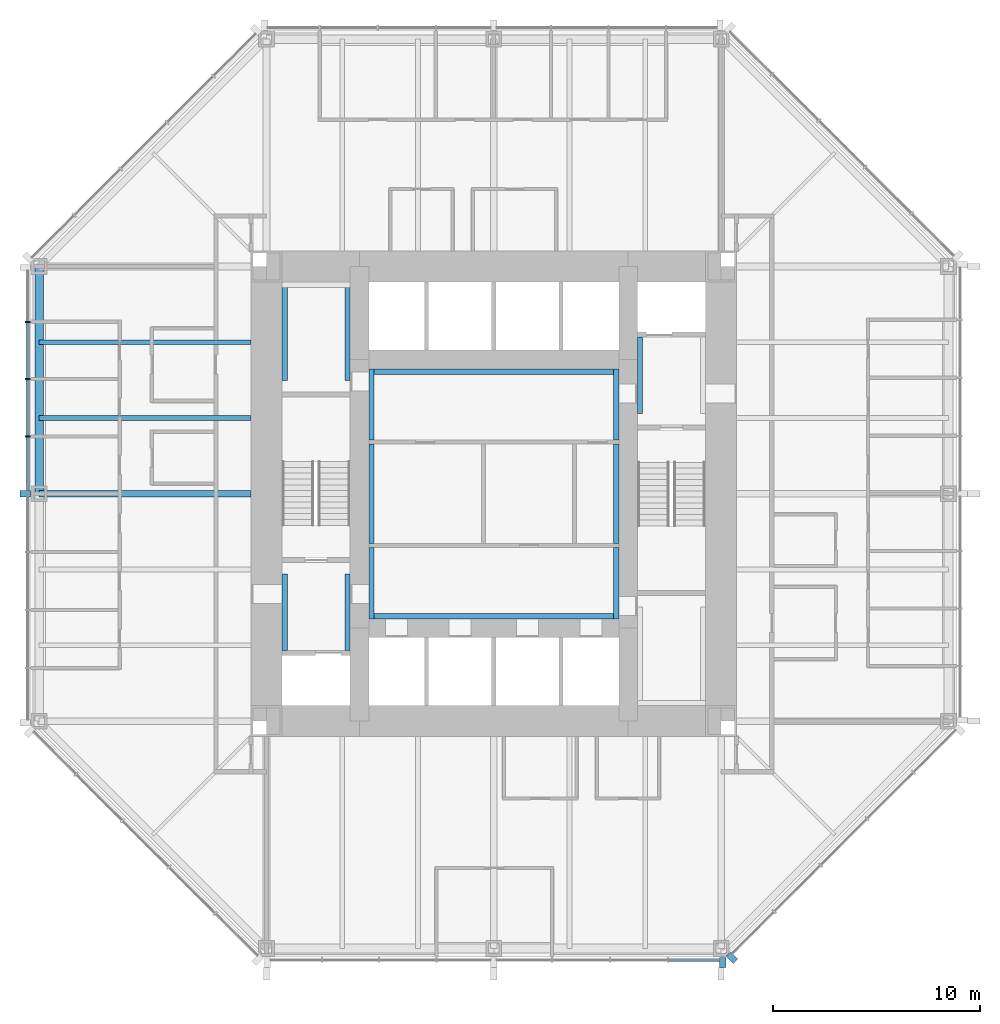
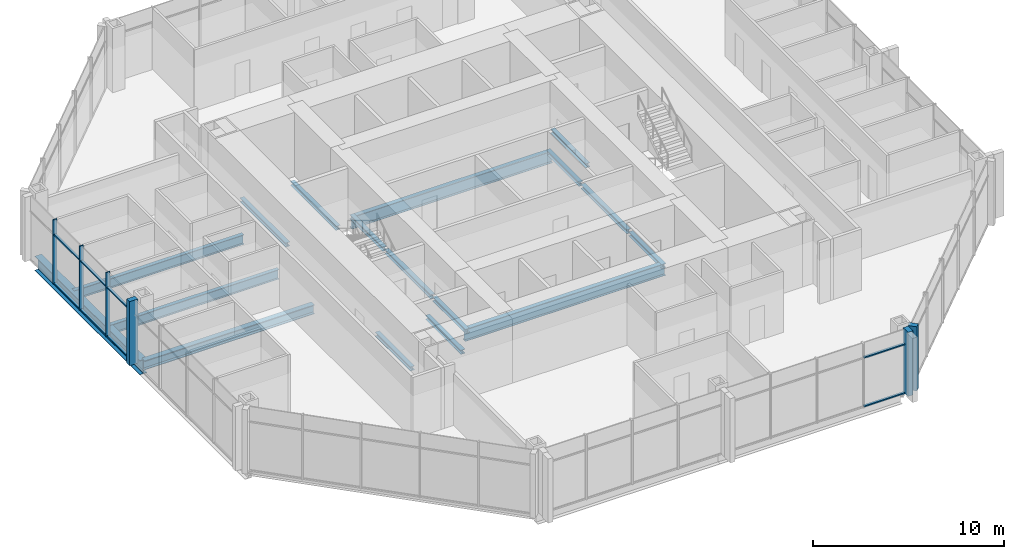
# One storey, part 3 of 14: 17 beams, 14 members, 3 elements without a shape of their own.
"""IFC4 building model written with IfcOpenShell, lengths in metres."""

import ifcopenshell
import ifcopenshell.guid

model = None  # the IFC model being written
_history = None  # IfcOwnerHistory: only IFC2X3 demands one
_inside = {}  # id of a spatial element -> (the spatial element, [elements in it])
_under = {}  # id of a project, library or spatial element -> (it, [spatial elements below it])
_declared = {}  # id of a project -> (the project, [libraries it declares])
_typed = {}  # id of a type object -> (the type object, [elements of that type])
_made_of = {}  # id of a material, layer set ... -> (it, [elements and type objects made of it])


def new_model(schema):
    """Start an empty IFC model of exactly this schema.

    Asked for "IFC4X3", IfcOpenShell would pick the latest addendum, in which some entities
    have other attributes; the version numbers below select the first issue.
    IFC2X3 requires an IfcOwnerHistory on every rooted entity: one is made here for all.
    """
    global model, _history
    if schema == "IFC4X3":
        model = ifcopenshell.file(schema_version=(4, 3, 0, 0))
    else:
        model = ifcopenshell.file(schema=schema)
    _inside.clear()
    _under.clear()
    _declared.clear()
    _typed.clear()
    _made_of.clear()
    _history = None
    if model.schema == "IFC2X3":
        org = make("IfcOrganization", Name="unknown")
        user = make(
            "IfcPersonAndOrganization",
            ThePerson=make("IfcPerson", FamilyName="unknown"),
            TheOrganization=org,
        )
        app = make(
            "IfcApplication",
            ApplicationDeveloper=org,
            Version="unknown",
            ApplicationFullName="unknown",
            ApplicationIdentifier="unknown",
        )
        _history = make(
            "IfcOwnerHistory",
            OwningUser=user,
            OwningApplication=app,
            ChangeAction="ADDED",
            CreationDate=0,
        )
    return model


def make(cls, **values):
    """One entity of the class cls with the attributes given. An attribute that is None is left unset."""
    return model.create_entity(
        cls, **{name: value for name, value in values.items() if value is not None}
    )


def rooted(cls, **values):
    """An entity with a GlobalId (a new one), such as an element, a storey or a relation."""
    return make(cls, GlobalId=ifcopenshell.guid.new(), OwnerHistory=_history, **values)


def si_unit(unit_type, name, prefix=None):
    """IfcSIUnit, for example si_unit("LENGTHUNIT", "METRE", prefix="MILLI")."""
    return make("IfcSIUnit", UnitType=unit_type, Prefix=prefix, Name=name)


def assignment(units):
    """IfcUnitAssignment: the units of a project."""
    return None if units is None else make("IfcUnitAssignment", Units=units)


def point(xyz):
    """IfcCartesianPoint."""
    return None if xyz is None else make("IfcCartesianPoint", Coordinates=xyz)


def direction(xyz):
    """IfcDirection."""
    return None if xyz is None else make("IfcDirection", DirectionRatios=xyz)


def frame(location, z_axis=None, x_axis=None):
    """IfcAxis2Placement3D, a coordinate frame: its origin and axes. An axis left out is left unset."""
    return make(
        "IfcAxis2Placement3D",
        Location=point(location),
        Axis=direction(z_axis),
        RefDirection=direction(x_axis),
    )


def frame_2d(location, x_axis=None):
    """IfcAxis2Placement2D, a coordinate frame in the plane: its origin and x axis."""
    return make(
        "IfcAxis2Placement2D", Location=point(location), RefDirection=direction(x_axis)
    )


def origin():
    """The frame at (0, 0, 0) with its axes left unset."""
    return frame((0.0, 0.0, 0.0))


def origin_2d():
    """The frame at (0, 0) in the plane with its x axis left unset."""
    return frame_2d((0.0, 0.0))


def place(relative_to, where):
    """IfcLocalPlacement: puts the frame where relative to a parent placement (None: the world)."""
    return make(
        "IfcLocalPlacement", PlacementRelTo=relative_to, RelativePlacement=where
    )


def context(
    kind, dimensions, precision=None, world=None, true_north=None, identifier=None
):
    """IfcGeometricRepresentationContext, for example the 3D "Model" context."""
    return make(
        "IfcGeometricRepresentationContext",
        ContextIdentifier=identifier,
        ContextType=kind,
        CoordinateSpaceDimension=dimensions,
        Precision=precision,
        WorldCoordinateSystem=world,
        TrueNorth=true_north,
    )


def subcontext(parent, identifier, kind, view, scale=None):
    """IfcGeometricRepresentationSubContext, for example "Body" below "Model"."""
    return make(
        "IfcGeometricRepresentationSubContext",
        ContextIdentifier=identifier,
        ContextType=kind,
        ParentContext=parent,
        TargetScale=scale,
        TargetView=view,
    )


def project(units=None, contexts=None):
    """IfcProject with its units and contexts."""
    return rooted(
        "IfcProject",
        Name="project",
        RepresentationContexts=contexts,
        UnitsInContext=assignment(units),
    )


def spatial(cls, under=None, at=None, **own):
    """A site, building, storey or space (cls), placed at a placement, below another one or the project."""
    s = rooted(cls, ObjectPlacement=at, **own)
    if under is not None:
        _under.setdefault(under.id(), (under, []))[1].append(s)
    return s


def profile(cls, at=None, kind="AREA", **sizes):
    """A parametric profile (cls). Its sizes go by their IFC names, for example OverallWidth=200.0."""
    return make(cls, ProfileType=kind, Position=at, **sizes)


def rectangle(**sizes):
    """IfcRectangleProfileDef."""
    return profile("IfcRectangleProfileDef", **sizes)


def i_section(**sizes):
    """IfcIShapeProfileDef."""
    return profile("IfcIShapeProfileDef", **sizes)


def extrude(swept, where, along, depth):
    """IfcExtrudedAreaSolid: the profile swept, set in the frame where, extruded along a direction by depth."""
    return make(
        "IfcExtrudedAreaSolid",
        SweptArea=swept,
        Position=where,
        ExtrudedDirection=direction(along),
        Depth=depth,
    )


def shape(context_of_items, identifier, shape_type, items):
    """IfcShapeRepresentation: the items that make up one representation, for example the "Body"."""
    return make(
        "IfcShapeRepresentation",
        ContextOfItems=context_of_items,
        RepresentationIdentifier=identifier,
        RepresentationType=shape_type,
        Items=items,
    )


def material(Name=None, Category=None):
    """IfcMaterial."""
    return make("IfcMaterial", Name=Name, Category=Category)


def material_profile(
    of_material, cross_section, Name=None, Category=None, Priority=None
):
    """IfcMaterialProfile: a cross section and its material."""
    return make(
        "IfcMaterialProfile",
        Name=Name,
        Material=of_material,
        Profile=cross_section,
        Priority=Priority,
        Category=Category,
    )


def profile_set(profiles, Name=None, composite=None):
    """IfcMaterialProfileSet."""
    return make(
        "IfcMaterialProfileSet",
        Name=Name,
        MaterialProfiles=profiles,
        CompositeProfile=composite,
    )


def made_of(thing, what):
    """Note that an element or type object is made of a material, layer set ...; save() writes the relation."""
    if what is not None:
        _made_of.setdefault(what.id(), (what, []))[1].append(thing)
    return thing


def type_object(cls, material=None, **own):
    """A type object (cls), such as IfcWallType, which elements share."""
    return made_of(rooted(cls, **own), material)


def element(
    cls,
    number,
    at=None,
    inside=None,
    cuts=None,
    type_object=None,
    material=None,
    context=None,
    identifier="Body",
    shape_type=None,
    held_by="IfcProductDefinitionShape",
    body=None,
    shapes=None,
    **own,
):
    """One element of the class cls, such as IfcWall. Its Tag is "e" and its number.

    at: its placement. inside: the storey or other place that contains it. cuts: it is an
    opening in that element (IfcRelVoidsElement). A single representation is given by context,
    identifier, shape_type and body (its items); several are given by shapes. held_by: the class
    of the entity that holds the representations. save() writes the other relations.
    """
    e = rooted(cls, Tag="e%d" % number, ObjectPlacement=at, **own)
    if body is not None:
        shapes = [shape(context, identifier, shape_type, body)]
    if shapes is not None:
        e.Representation = make(held_by, Representations=shapes)
    if inside is not None:
        _inside.setdefault(inside.id(), (inside, []))[1].append(e)
    if cuts is not None:
        rooted(
            "IfcRelVoidsElement", RelatingBuildingElement=cuts, RelatedOpeningElement=e
        )
    if type_object is not None:
        _typed.setdefault(type_object.id(), (type_object, []))[1].append(e)
    return made_of(e, material)


def aggregate(whole, parts):
    """IfcRelAggregates: a whole, such as a stair, and the parts it consists of."""
    return rooted("IfcRelAggregates", RelatingObject=whole, RelatedObjects=parts)


def save(model, path):
    """Write the relations noted so far, then the file.

    IfcRelAggregates (storeys below a building ...), IfcRelContainedInSpatialStructure (elements
    in a storey), IfcRelDefinesByType, IfcRelAssociatesMaterial and IfcRelDeclares: one each for
    every whole, place, type object, material and project.
    """
    for whole, parts in _under.values():
        aggregate(whole, parts)
    for where, things in _inside.values():
        rooted(
            "IfcRelContainedInSpatialStructure",
            RelatedElements=things,
            RelatingStructure=where,
        )
    for kind, things in _typed.values():
        rooted("IfcRelDefinesByType", RelatedObjects=things, RelatingType=kind)
    for what, things in _made_of.values():
        rooted("IfcRelAssociatesMaterial", RelatedObjects=things, RelatingMaterial=what)
    for by, libraries in _declared.values():
        rooted("IfcRelDeclares", RelatingContext=by, RelatedDefinitions=libraries)
    model.write(path)


model = new_model("IFC4")

# Units and contexts
model_context = context("Model", 3, precision=1e-05, world=origin(), true_north=direction((0.0, 1.0)))
body_context = subcontext(model_context, "Body", "Model", "MODEL_VIEW")
ifc_project = project(units=[si_unit("LENGTHUNIT", "METRE"), si_unit("AREAUNIT", "SQUARE_METRE"), si_unit("VOLUMEUNIT", "CUBIC_METRE"), si_unit("PLANEANGLEUNIT", "RADIAN"), si_unit("MASSUNIT", "GRAM", prefix="KILO")], contexts=[model_context])

# Site, building, storey
site_placement = place(None, origin())
site = spatial("IfcSite", under=ifc_project, at=site_placement, CompositionType="ELEMENT")
building_placement = place(site_placement, origin())
building = spatial("IfcBuilding", under=site, at=building_placement, Name="Trevanion Tower", CompositionType="ELEMENT")
storey_placement = place(building_placement, frame((0.0, 0.0, 109.0)))
storey = spatial("IfcBuildingStorey", under=building, at=storey_placement, Name="L25", CompositionType="ELEMENT", Elevation=109.0)

# Beams
ifc_material_1 = material(Name="Steel ASTM A992 Grade 50", Category="steel")
ifc_material_profile_1 = material_profile(ifc_material_1, i_section(OverallWidth=0.22900390625, OverallDepth=0.612060546875, WebThickness=0.011962890625, FlangeThickness=0.01953125, at=origin_2d()), Name="W24X84")
ifc_profile_set_1 = profile_set([ifc_material_profile_1], Name="Steel ASTM A992 Grade 50")
beam_type_1 = type_object("IfcBeamType", Name="B7 W24X84", PredefinedType="BEAM", material=ifc_profile_set_1)
for number, where, z_axis, x_axis, name in (
    (1, (-11.75, 7.333251953125, -0.49609375), (-1.0, 0.0, 0.0), (0.0, -1.0, 0.0), "B7 L25"),
    (2, (-11.75, 3.666748046875, -0.49609375), (-1.0, 0.0, 0.0), (0.0, -1.0, 0.0), "B7 L25"),
):
    element("IfcBeam", number, at=place(storey_placement, frame(where, z_axis=z_axis, x_axis=x_axis)), inside=storey, type_object=beam_type_1, Name=name, PredefinedType="BEAM", context=body_context, shape_type="SweptSolid", body=[
        extrude(i_section(OverallWidth=0.22900390625, OverallDepth=0.612060546875, WebThickness=0.011962890625, FlangeThickness=0.01953125, at=origin_2d()), origin(), (0.0, 0.0, 1.0), 10.25),
    ])

# Curtain wall, members
ifc_material_2 = material(Name="Aluminium and glass", Category="aluminium")
curtain_wall_type = type_object("IfcCurtainWallType", Name="CW2 curtain wall", PredefinedType="USERDEFINED", material=ifc_material_2)
curtain_wall_1_placement = place(storey_placement, origin())
curtain_wall_1 = element("IfcCurtainWall", 3, at=curtain_wall_1_placement, inside=storey, type_object=curtain_wall_type, Name="CW2 L25 4", ObjectType="UNITISED CURTAIN WALL", PredefinedType="USERDEFINED")
ifc_material_3 = material(Name="Aluminium extrusion, anodised bronze", Category="aluminium")
ifc_material_profile_2 = material_profile(ifc_material_3, rectangle(XDim=0.074951171875, YDim=0.25, at=origin_2d()), Name="CW2 mullion")
ifc_profile_set_2 = profile_set([ifc_material_profile_2], Name="Aluminium extrusion, anodised bronze")
member_type_1 = type_object("IfcMemberType", Name="CW2 mullion", PredefinedType="MULLION", material=ifc_profile_set_2)
member_1_placement = place(storey_placement, frame((-22.550048828125, 8.323486328125, -0.18994140625), z_axis=(0.0, 0.0, 1.0), x_axis=(0.0, -1.0, 0.0)))
member_1 = element("IfcMember", 4, at=member_1_placement, type_object=member_type_1, Name="CW2 mullion 2", PredefinedType="MULLION", context=body_context, shape_type="SweptSolid", body=[
    extrude(rectangle(XDim=0.074951171875, YDim=0.25, at=origin_2d()), origin(), (0.0, 0.0, 1.0), 4.099853515625),
])
member_2_placement = place(storey_placement, frame((-22.550048828125, 5.548828125, -0.18994140625), z_axis=(0.0, 0.0, 1.0), x_axis=(0.0, -1.0, 0.0)))
member_2 = element("IfcMember", 5, at=member_2_placement, type_object=member_type_1, Name="CW2 mullion 3", PredefinedType="MULLION", context=body_context, shape_type="SweptSolid", body=[
    extrude(rectangle(XDim=0.074951171875, YDim=0.25, at=origin_2d()), origin(), (0.0, 0.0, 1.0), 4.099853515625),
])
member_3_placement = place(storey_placement, frame((-22.550048828125, 2.7744140625, -0.18994140625), z_axis=(0.0, 0.0, 1.0), x_axis=(0.0, -1.0, 0.0)))
member_3 = element("IfcMember", 6, at=member_3_placement, type_object=member_type_1, Name="CW2 mullion 4", PredefinedType="MULLION", context=body_context, shape_type="SweptSolid", body=[
    extrude(rectangle(XDim=0.074951171875, YDim=0.25, at=origin_2d()), origin(), (0.0, 0.0, 1.0), 4.099853515625),
])
ifc_material_4 = material(Name="Aluminium extrusion, anodised bronze", Category="aluminium")
ifc_material_profile_3 = material_profile(ifc_material_4, rectangle(XDim=0.300048828125, YDim=0.5, at=origin_2d()), Name="CW2 pier mullion")
ifc_profile_set_3 = profile_set([ifc_material_profile_3], Name="Aluminium extrusion, anodised bronze")
member_type_2 = type_object("IfcMemberType", Name="CW2 pier mullion", PredefinedType="MULLION", material=ifc_profile_set_3)
member_4_placement = place(storey_placement, frame((-22.675048828125, 0.0, -0.18994140625), z_axis=(0.0, 0.0, 1.0), x_axis=(0.0, -1.0, 0.0)))
member_4 = element("IfcMember", 7, at=member_4_placement, type_object=member_type_2, Name="CW2 pier mullion 5", PredefinedType="MULLION", context=body_context, shape_type="SweptSolid", body=[
    extrude(rectangle(XDim=0.300048828125, YDim=0.5, at=origin_2d()), origin(), (0.0, 0.0, 1.0), 4.099853515625),
])

# Curtain wall, member
curtain_wall_2_placement = place(storey_placement, origin())
curtain_wall_2 = element("IfcCurtainWall", 8, at=curtain_wall_2_placement, inside=storey, type_object=curtain_wall_type, Name="CW2 L25 6", ObjectType="UNITISED CURTAIN WALL", PredefinedType="USERDEFINED")
member_5_placement = place(storey_placement, frame((11.077880859375, -22.675048828125, -0.18994140625), z_axis=(0.0, 0.0, 1.0), x_axis=(1.0, 0.0, 0.0)))
member_5 = element("IfcMember", 9, at=member_5_placement, type_object=member_type_2, Name="CW2 pier mullion 9", PredefinedType="MULLION", context=body_context, shape_type="SweptSolid", body=[
    extrude(rectangle(XDim=0.300048828125, YDim=0.5, at=origin_2d()), origin(), (0.0, 0.0, 1.0), 4.099853515625),
])

curtain_wall_3_placement = place(storey_placement, origin())
curtain_wall_3 = element("IfcCurtainWall", 10, at=curtain_wall_3_placement, inside=storey, type_object=curtain_wall_type, Name="CW2 L25 7", ObjectType="UNITISED CURTAIN WALL", PredefinedType="USERDEFINED")
member_6_placement = place(storey_placement, frame((11.51416015625, -22.4404296875, -0.18994140625), z_axis=(0.0, 0.0, 1.0), x_axis=(0.707106781187, 0.707106781187, 0.0)))
member_6 = element("IfcMember", 11, at=member_6_placement, type_object=member_type_2, Name="CW2 pier mullion 1", PredefinedType="MULLION", context=body_context, shape_type="SweptSolid", body=[
    extrude(rectangle(XDim=0.300048828125, YDim=0.5, at=origin_2d()), origin(), (0.0, 0.0, 1.0), 4.099853515625),
])
aggregate(curtain_wall_3, [member_6])

# Member
ifc_material_5 = material(Name="Aluminium extrusion, anodised bronze", Category="aluminium")
ifc_material_profile_4 = material_profile(ifc_material_5, rectangle(XDim=0.14990234375, YDim=0.074951171875, at=origin_2d()), Name="CW2 transom")
ifc_profile_set_4 = profile_set([ifc_material_profile_4], Name="Aluminium extrusion, anodised bronze")
member_type_3 = type_object("IfcMemberType", Name="CW2 transom", PredefinedType="USERDEFINED", material=ifc_profile_set_4)
member_7_placement = place(storey_placement, frame((-22.550048828125, 8.285888671875, -0.152587890625), z_axis=(0.0, -1.0, 0.0), x_axis=(1.0, 0.0, 0.0)))
member_7 = element("IfcMember", 12, at=member_7_placement, type_object=member_type_3, Name="CW2 transom 2.1", ObjectType="TRANSOM", PredefinedType="USERDEFINED", context=body_context, shape_type="SweptSolid", body=[
    extrude(rectangle(XDim=0.14990234375, YDim=0.074951171875, at=origin_2d()), origin(), (0.0, 0.0, 1.0), 2.699462890625),
])

member_8_placement = place(storey_placement, frame((-22.550048828125, 8.285888671875, 2.9599609375), z_axis=(0.0, -1.0, 0.0), x_axis=(1.0, 0.0, 0.0)))
member_8 = element("IfcMember", 13, at=member_8_placement, type_object=member_type_3, Name="CW2 transom 2.2", ObjectType="TRANSOM", PredefinedType="USERDEFINED", context=body_context, shape_type="SweptSolid", body=[
    extrude(rectangle(XDim=0.14990234375, YDim=0.074951171875, at=origin_2d()), origin(), (0.0, 0.0, 1.0), 2.699462890625),
])

member_9_placement = place(storey_placement, frame((-22.550048828125, 5.511474609375, -0.152587890625), z_axis=(0.0, -1.0, 0.0), x_axis=(1.0, 0.0, 0.0)))
member_9 = element("IfcMember", 14, at=member_9_placement, type_object=member_type_3, Name="CW2 transom 3.1", ObjectType="TRANSOM", PredefinedType="USERDEFINED", context=body_context, shape_type="SweptSolid", body=[
    extrude(rectangle(XDim=0.14990234375, YDim=0.074951171875, at=origin_2d()), origin(), (0.0, 0.0, 1.0), 2.699462890625),
])

member_10_placement = place(storey_placement, frame((-22.550048828125, 5.511474609375, 2.9599609375), z_axis=(0.0, -1.0, 0.0), x_axis=(1.0, 0.0, 0.0)))
member_10 = element("IfcMember", 15, at=member_10_placement, type_object=member_type_3, Name="CW2 transom 3.2", ObjectType="TRANSOM", PredefinedType="USERDEFINED", context=body_context, shape_type="SweptSolid", body=[
    extrude(rectangle(XDim=0.14990234375, YDim=0.074951171875, at=origin_2d()), origin(), (0.0, 0.0, 1.0), 2.699462890625),
])

member_11_placement = place(storey_placement, frame((-22.550048828125, 2.737060546875, -0.152587890625), z_axis=(0.0, -1.0, 0.0), x_axis=(1.0, 0.0, 0.0)))
member_11 = element("IfcMember", 16, at=member_11_placement, type_object=member_type_3, Name="CW2 transom 4.1", ObjectType="TRANSOM", PredefinedType="USERDEFINED", context=body_context, shape_type="SweptSolid", body=[
    extrude(rectangle(XDim=0.14990234375, YDim=0.074951171875, at=origin_2d()), origin(), (0.0, 0.0, 1.0), 2.587158203125),
])

member_12_placement = place(storey_placement, frame((-22.550048828125, 2.737060546875, 2.9599609375), z_axis=(0.0, -1.0, 0.0), x_axis=(1.0, 0.0, 0.0)))
member_12 = element("IfcMember", 17, at=member_12_placement, type_object=member_type_3, Name="CW2 transom 4.2", ObjectType="TRANSOM", PredefinedType="USERDEFINED", context=body_context, shape_type="SweptSolid", body=[
    extrude(rectangle(XDim=0.14990234375, YDim=0.074951171875, at=origin_2d()), origin(), (0.0, 0.0, 1.0), 2.587158203125),
])

aggregate(curtain_wall_1, [member_1, member_2, member_3, member_4, member_7, member_8, member_9, member_10, member_11, member_12])

member_13_placement = place(storey_placement, frame((8.45849609375, -22.550048828125, -0.152587890625), z_axis=(1.0, 0.0, 0.0), x_axis=(0.0, 1.0, 0.0)))
member_13 = element("IfcMember", 18, at=member_13_placement, type_object=member_type_3, Name="CW2 transom 8.1", ObjectType="TRANSOM", PredefinedType="USERDEFINED", context=body_context, shape_type="SweptSolid", body=[
    extrude(rectangle(XDim=0.14990234375, YDim=0.074951171875, at=origin_2d()), origin(), (0.0, 0.0, 1.0), 2.46923828125),
])

member_14_placement = place(storey_placement, frame((8.45849609375, -22.550048828125, 2.9599609375), z_axis=(1.0, 0.0, 0.0), x_axis=(0.0, 1.0, 0.0)))
member_14 = element("IfcMember", 19, at=member_14_placement, type_object=member_type_3, Name="CW2 transom 8.2", ObjectType="TRANSOM", PredefinedType="USERDEFINED", context=body_context, shape_type="SweptSolid", body=[
    extrude(rectangle(XDim=0.14990234375, YDim=0.074951171875, at=origin_2d()), origin(), (0.0, 0.0, 1.0), 2.46923828125),
])

aggregate(curtain_wall_2, [member_5, member_13, member_14])

# Beams
ifc_material_6 = material(Name="Steel ASTM A992 Grade 50", Category="steel")
ifc_material_profile_5 = material_profile(ifc_material_6, i_section(OverallWidth=0.320068359375, OverallDepth=0.584228515625, WebThickness=0.023193359375, FlangeThickness=0.04150390625, at=origin_2d()), Name="W21X201")
ifc_profile_set_5 = profile_set([ifc_material_profile_5], Name="Steel ASTM A992 Grade 50")
beam_type_2 = type_object("IfcBeamType", Name="G4 W21X201", PredefinedType="BEAM", material=ifc_profile_set_5)
beam_1_placement = place(storey_placement, frame((-11.75, 0.0, -0.482177734375), z_axis=(-1.0, 0.0, 0.0), x_axis=(0.0, -1.0, 0.0)))
element("IfcBeam", 20, at=beam_1_placement, inside=storey, type_object=beam_type_2, Name="G4 L25", PredefinedType="BEAM", context=body_context, shape_type="SweptSolid", body=[
    extrude(i_section(OverallWidth=0.320068359375, OverallDepth=0.584228515625, WebThickness=0.023193359375, FlangeThickness=0.04150390625, at=origin_2d()), origin(), (0.0, 0.0, 1.0), 10.25),
])
ifc_material_7 = material(Name="Steel ASTM A992 Grade 50", Category="steel")
ifc_material_profile_6 = material_profile(ifc_material_7, i_section(OverallWidth=0.256591796875, OverallDepth=0.26416015625, WebThickness=0.011962890625, FlangeThickness=0.01953125, at=origin_2d()), Name="W10X68")
ifc_profile_set_6 = profile_set([ifc_material_profile_6], Name="Steel ASTM A992 Grade 50")
beam_type_3 = type_object("IfcBeamType", Name="LB1 W10X68", PredefinedType="BEAM", material=ifc_profile_set_6)
for number, where, z_axis, x_axis, name in (
    (21, (-5.921630859375, 2.60009765625, -0.33203125), (0.0, 1.0, 0.0), (-1.0, 0.0, 0.0), "LB1 L25"),
    (22, (5.921630859375, 2.60009765625, -0.33203125), (0.0, 1.0, 0.0), (-1.0, 0.0, 0.0), "LB1 L25"),
    (23, (-5.921630859375, -6.050048828125, -0.33203125), (0.0, 1.0, 0.0), (-1.0, 0.0, 0.0), "LB1 L25"),
    (24, (5.921630859375, -6.050048828125, -0.33203125), (0.0, 1.0, 0.0), (-1.0, 0.0, 0.0), "LB1 L25"),
):
    element("IfcBeam", number, at=place(storey_placement, frame(where, z_axis=z_axis, x_axis=x_axis)), inside=storey, type_object=beam_type_3, Name=name, PredefinedType="BEAM", context=body_context, shape_type="SweptSolid", body=[
        extrude(i_section(OverallWidth=0.256591796875, OverallDepth=0.26416015625, WebThickness=0.011962890625, FlangeThickness=0.01953125, at=origin_2d()), origin(), (0.0, 0.0, 1.0), 3.449951171875),
    ])
for number, where, z_axis, x_axis, name in (
    (25, (7.078369140625, 3.875, -0.33203125), (0.0, 1.0, 0.0), (-1.0, 0.0, 0.0), "LB1 L25"),
    (26, (-10.12158203125, -7.574951171875, -0.33203125), (0.0, 1.0, 0.0), (-1.0, 0.0, 0.0), "LB1 L25"),
    (27, (-7.078369140625, -7.574951171875, -0.33203125), (0.0, 1.0, 0.0), (-1.0, 0.0, 0.0), "LB1 L25"),
):
    element("IfcBeam", number, at=place(storey_placement, frame(where, z_axis=z_axis, x_axis=x_axis)), inside=storey, type_object=beam_type_3, Name=name, PredefinedType="BEAM", context=body_context, shape_type="SweptSolid", body=[
        extrude(i_section(OverallWidth=0.256591796875, OverallDepth=0.26416015625, WebThickness=0.011962890625, FlangeThickness=0.01953125, at=origin_2d()), origin(), (0.0, 0.0, 1.0), 3.699951171875),
    ])
for number, where, z_axis, x_axis, name in (
    (28, (-10.12158203125, 5.47509765625, -0.33203125), (0.0, 1.0, 0.0), (-1.0, 0.0, 0.0), "LB1 L25"),
    (29, (-7.078369140625, 5.47509765625, -0.33203125), (0.0, 1.0, 0.0), (-1.0, 0.0, 0.0), "LB1 L25"),
):
    element("IfcBeam", number, at=place(storey_placement, frame(where, z_axis=z_axis, x_axis=x_axis)), inside=storey, type_object=beam_type_3, Name=name, PredefinedType="BEAM", context=body_context, shape_type="SweptSolid", body=[
        extrude(i_section(OverallWidth=0.256591796875, OverallDepth=0.26416015625, WebThickness=0.011962890625, FlangeThickness=0.01953125, at=origin_2d()), origin(), (0.0, 0.0, 1.0), 4.77490234375),
    ])
for number, where, z_axis, x_axis, name in (
    (30, (-5.921630859375, -2.39990234375, -0.33203125), (0.0, 1.0, 0.0), (-1.0, 0.0, 0.0), "LB1 L25"),
    (31, (5.921630859375, -2.39990234375, -0.33203125), (0.0, 1.0, 0.0), (-1.0, 0.0, 0.0), "LB1 L25"),
):
    element("IfcBeam", number, at=place(storey_placement, frame(where, z_axis=z_axis, x_axis=x_axis)), inside=storey, type_object=beam_type_3, Name=name, PredefinedType="BEAM", context=body_context, shape_type="SweptSolid", body=[
        extrude(i_section(OverallWidth=0.256591796875, OverallDepth=0.26416015625, WebThickness=0.011962890625, FlangeThickness=0.01953125, at=origin_2d()), origin(), (0.0, 0.0, 1.0), 4.7998046875),
    ])
ifc_material_8 = material(Name="Steel ASTM A992 Grade 50", Category="steel")
ifc_material_profile_7 = material_profile(ifc_material_8, i_section(OverallWidth=0.2666015625, OverallDepth=0.76953125, WebThickness=0.015625, FlangeThickness=0.025390625, at=origin_2d()), Name="W30X132")
ifc_profile_set_7 = profile_set([ifc_material_profile_7], Name="Steel ASTM A992 Grade 50")
beam_type_4 = type_object("IfcBeamType", Name="LB3 W30X132", PredefinedType="BEAM", material=ifc_profile_set_7)
for number, where, z_axis, x_axis, name in (
    (32, (-6.050048828125, 5.91650390625, -0.584716796875), (1.0, 0.0, 0.0), (0.0, 1.0, 0.0), "LB3 L25"),
    (33, (-6.050048828125, -5.91650390625, -0.584716796875), (1.0, 0.0, 0.0), (0.0, 1.0, 0.0), "LB3 L25"),
):
    element("IfcBeam", number, at=place(storey_placement, frame(where, z_axis=z_axis, x_axis=x_axis)), inside=storey, type_object=beam_type_4, Name=name, PredefinedType="BEAM", context=body_context, shape_type="SweptSolid", body=[
        extrude(i_section(OverallWidth=0.2666015625, OverallDepth=0.76953125, WebThickness=0.015625, FlangeThickness=0.025390625, at=origin_2d()), origin(), (0.0, 0.0, 1.0), 12.10009765625),
    ])
ifc_material_9 = material(Name="Steel ASTM A992 Grade 50", Category="steel")
ifc_material_profile_8 = material_profile(ifc_material_9, i_section(OverallWidth=0.419189453125, OverallDepth=0.927001953125, WebThickness=0.019287109375, FlangeThickness=0.031982421875, at=origin_2d()), Name="W36X231")
ifc_profile_set_8 = profile_set([ifc_material_profile_8], Name="Steel ASTM A992 Grade 50")
beam_type_5 = type_object("IfcBeamType", Name="SB4 W36X231", PredefinedType="SPANDREL", material=ifc_profile_set_8)
beam_2_placement = place(storey_placement, frame((-22.0, 11.0, -0.653564453125), z_axis=(0.0, -1.0, 0.0), x_axis=(1.0, 0.0, 0.0)))
element("IfcBeam", 34, at=beam_2_placement, inside=storey, type_object=beam_type_5, Name="SB4 L25", PredefinedType="SPANDREL", context=body_context, shape_type="SweptSolid", body=[
    extrude(i_section(OverallWidth=0.419189453125, OverallDepth=0.927001953125, WebThickness=0.019287109375, FlangeThickness=0.031982421875, at=origin_2d()), origin(), (0.0, 0.0, 1.0), 11.0),
])

save(model, "model.ifc")
